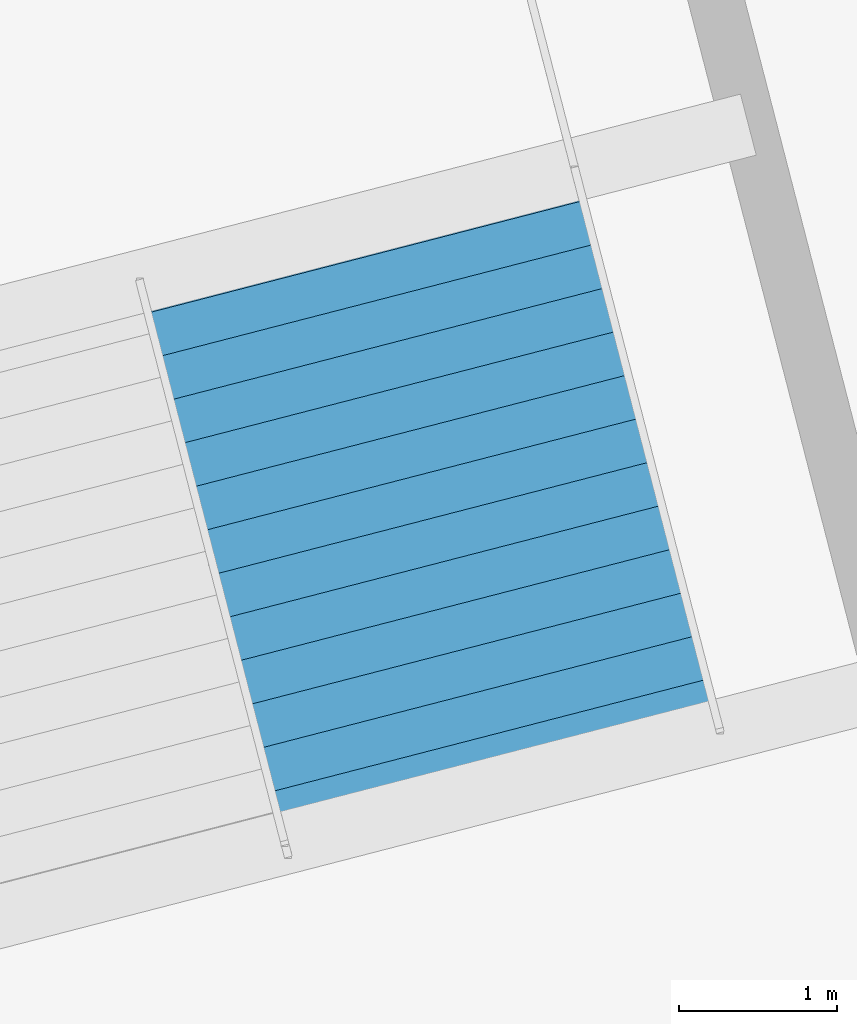
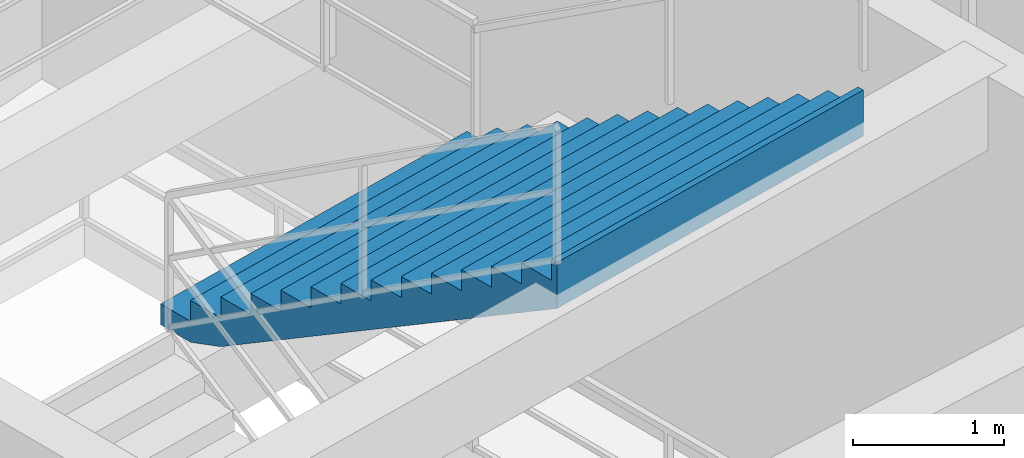
# One storey, part 131 of 156: 1 stair flight, 1 element without a shape of its own.
"""IFC4 building model written with IfcOpenShell, lengths in metres."""

from ifc_helpers import new_model, si_unit, direction, frame, origin, place, context, subcontext, project, spatial, polygons, material, type_object, element, aggregate, save


model = new_model("IFC4")

# Units and contexts
model_context = context("Model", 3, precision=1e-05, world=origin(), true_north=direction((0.0, 1.0)))
body_context = subcontext(model_context, "Body", "Model", "MODEL_VIEW")
ifc_project = project(units=[si_unit("LENGTHUNIT", "METRE"), si_unit("AREAUNIT", "SQUARE_METRE"), si_unit("VOLUMEUNIT", "CUBIC_METRE"), si_unit("PLANEANGLEUNIT", "RADIAN"), si_unit("MASSUNIT", "GRAM", prefix="KILO")], contexts=[model_context])

# Site, building, storey
site_placement = place(None, origin())
site = spatial("IfcSite", under=ifc_project, at=site_placement, CompositionType="ELEMENT")
building_placement = place(site_placement, origin())
building = spatial("IfcBuilding", under=site, at=building_placement, Name="Kazemori Nagisa Stadium", CompositionType="ELEMENT")
storey_placement = place(building_placement, frame((0.0, 0.0, 5.780029296875)))
storey = spatial("IfcBuildingStorey", under=building, at=storey_placement, Name="L01", CompositionType="ELEMENT", Elevation=5.780029296875)

# Stair, stair flight
ifc_material = material(Name="Concrete C36/45 (Fc36)", Category="concrete")
stair_type = type_object("IfcStairType", Name="Stair_CORE_28", PredefinedType="TWO_STRAIGHT_RUN_STAIR", material=ifc_material)
stair_placement = place(storey_placement, origin())
stair = element("IfcStair", 1, at=stair_placement, inside=storey, type_object=stair_type, Name="Exit stair ST07 L01", PredefinedType="TWO_STRAIGHT_RUN_STAIR")
stair_flight_type = type_object("IfcStairFlightType", Name="Flight_CORE_14", PredefinedType="STRAIGHT", material=ifc_material)
stair_flight_placement = place(storey_placement, frame((209.734130859375, 127.345703125, 2.3798828125), z_axis=(0.0, 0.0, 1.0), x_axis=(0.250001576145, -0.968245429592, 0.0)))
stair_flight = element("IfcStairFlight", 2, at=stair_flight_placement, type_object=stair_flight_type, Name="Exit stair ST07 L01 flight 2", NumberOfRisers=14, NumberOfTreads=13, PredefinedType="STRAIGHT", RiserHeight=0.17, TreadLength=0.285, context=body_context, shape_type="Tessellation", body=[
    polygons([(0.0, -1.425048828125, 0.0), (0.0, -1.425048828125, 0.169921875), (0.284912109375, -1.425048828125, 0.169921875), (0.284912109375, -1.425048828125, 0.340087890625), (0.570068359375, -1.425048828125, 0.340087890625), (0.570068359375, -1.425048828125, 0.510009765625), (0.85498046875, -1.425048828125, 0.510009765625), (0.85498046875, -1.425048828125, 0.679931640625), (1.139892578125, -1.425048828125, 0.679931640625), (1.139892578125, -1.425048828125, 0.85009765625), (1.425048828125, -1.425048828125, 0.85009765625), (1.425048828125, -1.425048828125, 1.02001953125), (1.7099609375, -1.425048828125, 1.02001953125), (1.7099609375, -1.425048828125, 1.18994140625), (1.9951171875, -1.425048828125, 1.18994140625), (1.9951171875, -1.425048828125, 1.360107421875), (2.280029296875, -1.425048828125, 1.360107421875), (2.280029296875, -1.425048828125, 1.530029296875), (2.56494140625, -1.425048828125, 1.530029296875), (2.56494140625, -1.425048828125, 1.699951171875), (2.85009765625, -1.425048828125, 1.699951171875), (2.85009765625, -1.425048828125, 1.8701171875), (3.135009765625, -1.425048828125, 1.8701171875), (3.135009765625, -1.425048828125, 2.0400390625), (3.419921875, -1.425048828125, 2.0400390625), (3.419921875, -1.425048828125, 2.2099609375), (3.705078125, -1.425048828125, 2.2099609375), (3.705078125, -1.425048828125, 2.3798828125), (3.7548828125, -1.425048828125, 2.3798828125), (3.7548828125, -1.425048828125, 2.007080078125), (3.705078125, -1.425048828125, 1.977294921875), (3.419921875, -1.425048828125, 1.80712890625), (3.135009765625, -1.425048828125, 1.63720703125), (2.85009765625, -1.425048828125, 1.46728515625), (2.56494140625, -1.425048828125, 1.297119140625), (2.280029296875, -1.425048828125, 1.127197265625), (1.9951171875, -1.425048828125, 0.957275390625), (1.7099609375, -1.425048828125, 0.787109375), (1.425048828125, -1.425048828125, 0.6171875), (1.139892578125, -1.425048828125, 0.447265625), (0.85498046875, -1.425048828125, 0.277099609375), (0.570068359375, -1.425048828125, 0.107177734375), (0.284912109375, -1.425048828125, 0.0), (0.0, -0.08544921875, 0.0), (0.0, -0.08544921875, 0.169921875), (0.284912109375, -0.08544921875, 0.169921875), (0.284912109375, -0.08544921875, 0.340087890625), (0.570068359375, -0.08544921875, 0.340087890625), (0.570068359375, -0.08544921875, 0.510009765625), (0.85498046875, -0.08544921875, 0.510009765625), (0.85498046875, -0.08544921875, 0.679931640625), (1.139892578125, -0.08544921875, 0.679931640625), (1.139892578125, -0.08544921875, 0.85009765625), (1.425048828125, -0.08544921875, 0.85009765625), (1.425048828125, -0.08544921875, 1.02001953125), (1.7099609375, -0.08544921875, 1.02001953125), (1.7099609375, -0.08544921875, 1.18994140625), (1.9951171875, -0.08544921875, 1.18994140625), (1.9951171875, -0.08544921875, 1.360107421875), (2.280029296875, -0.08544921875, 1.360107421875), (2.280029296875, -0.08544921875, 1.530029296875), (2.56494140625, -0.08544921875, 1.530029296875), (2.56494140625, -0.08544921875, 1.699951171875), (2.85009765625, -0.08544921875, 1.699951171875), (2.85009765625, -0.08544921875, 1.8701171875), (3.135009765625, -0.08544921875, 1.8701171875), (3.135009765625, -0.08544921875, 2.0400390625), (3.419921875, -0.08544921875, 2.0400390625), (3.419921875, -0.08544921875, 2.2099609375), (3.705078125, -0.08544921875, 2.2099609375), (3.705078125, -0.08544921875, 2.3798828125), (3.7548828125, -0.08544921875, 2.3798828125), (3.7548828125, -0.08544921875, 2.007080078125), (3.705078125, -0.08544921875, 1.977294921875), (3.419921875, -0.08544921875, 1.80712890625), (3.135009765625, -0.08544921875, 1.63720703125), (2.85009765625, -0.08544921875, 1.46728515625), (2.56494140625, -0.08544921875, 1.297119140625), (2.280029296875, -0.08544921875, 1.127197265625), (1.9951171875, -0.08544921875, 0.957275390625), (1.7099609375, -0.08544921875, 0.787109375), (1.425048828125, -0.08544921875, 0.6171875), (1.139892578125, -0.08544921875, 0.447265625), (0.85498046875, -0.08544921875, 0.277099609375), (0.570068359375, -0.08544921875, 0.107177734375), (0.284912109375, -0.08544921875, 0.0), (0.0, 0.0, 0.0), (0.0, 0.0, 0.169921875), (0.284912109375, 0.0, 0.169921875), (0.284912109375, 0.0, 0.340087890625), (0.570068359375, 0.0, 0.340087890625), (0.570068359375, 0.0, 0.510009765625), (0.85498046875, 0.0, 0.510009765625), (0.85498046875, 0.0, 0.679931640625), (1.139892578125, 0.0, 0.679931640625), (1.139892578125, 0.0, 0.85009765625), (1.425048828125, 0.0, 0.85009765625), (1.425048828125, 0.0, 1.02001953125), (1.7099609375, 0.0, 1.02001953125), (1.7099609375, 0.0, 1.18994140625), (1.9951171875, 0.0, 1.18994140625), (1.9951171875, 0.0, 1.360107421875), (2.280029296875, 0.0, 1.360107421875), (2.280029296875, 0.0, 1.530029296875), (2.56494140625, 0.0, 1.530029296875), (2.56494140625, 0.0, 1.699951171875), (2.85009765625, 0.0, 1.699951171875), (2.85009765625, 0.0, 1.8701171875), (3.135009765625, 0.0, 1.8701171875), (3.135009765625, 0.0, 2.0400390625), (3.419921875, 0.0, 2.0400390625), (3.419921875, 0.0, 2.2099609375), (3.705078125, 0.0, 2.2099609375), (3.705078125, 0.0, 2.3798828125), (3.7548828125, 0.0, 2.3798828125), (3.7548828125, 0.0, 2.007080078125), (3.705078125, 0.0, 1.977294921875), (3.419921875, 0.0, 1.80712890625), (3.135009765625, 0.0, 1.63720703125), (2.85009765625, 0.0, 1.46728515625), (2.56494140625, 0.0, 1.297119140625), (2.280029296875, 0.0, 1.127197265625), (1.9951171875, 0.0, 0.957275390625), (1.7099609375, 0.0, 0.787109375), (1.425048828125, 0.0, 0.6171875), (1.139892578125, 0.0, 0.447265625), (0.85498046875, 0.0, 0.277099609375), (0.570068359375, 0.0, 0.107177734375), (0.284912109375, 0.0, 0.0), (0.0, 0.08544921875, 0.0), (0.0, 0.08544921875, 0.169921875), (0.284912109375, 0.08544921875, 0.169921875), (0.284912109375, 0.08544921875, 0.340087890625), (0.570068359375, 0.08544921875, 0.340087890625), (0.570068359375, 0.08544921875, 0.510009765625), (0.85498046875, 0.08544921875, 0.510009765625), (0.85498046875, 0.08544921875, 0.679931640625), (1.139892578125, 0.08544921875, 0.679931640625), (1.139892578125, 0.08544921875, 0.85009765625), (1.425048828125, 0.08544921875, 0.85009765625), (1.425048828125, 0.08544921875, 1.02001953125), (1.7099609375, 0.08544921875, 1.02001953125), (1.7099609375, 0.08544921875, 1.18994140625), (1.9951171875, 0.08544921875, 1.18994140625), (1.9951171875, 0.08544921875, 1.360107421875), (2.280029296875, 0.08544921875, 1.360107421875), (2.280029296875, 0.08544921875, 1.530029296875), (2.56494140625, 0.08544921875, 1.530029296875), (2.56494140625, 0.08544921875, 1.699951171875), (2.85009765625, 0.08544921875, 1.699951171875), (2.85009765625, 0.08544921875, 1.8701171875), (3.135009765625, 0.08544921875, 1.8701171875), (3.135009765625, 0.08544921875, 2.0400390625), (3.419921875, 0.08544921875, 2.0400390625), (3.419921875, 0.08544921875, 2.2099609375), (3.705078125, 0.08544921875, 2.2099609375), (3.705078125, 0.08544921875, 2.3798828125), (3.7548828125, 0.08544921875, 2.3798828125), (3.7548828125, 0.08544921875, 2.007080078125), (3.705078125, 0.08544921875, 1.977294921875), (3.419921875, 0.08544921875, 1.80712890625), (3.135009765625, 0.08544921875, 1.63720703125), (2.85009765625, 0.08544921875, 1.46728515625), (2.56494140625, 0.08544921875, 1.297119140625), (2.280029296875, 0.08544921875, 1.127197265625), (1.9951171875, 0.08544921875, 0.957275390625), (1.7099609375, 0.08544921875, 0.787109375), (1.425048828125, 0.08544921875, 0.6171875), (1.139892578125, 0.08544921875, 0.447265625), (0.85498046875, 0.08544921875, 0.277099609375), (0.570068359375, 0.08544921875, 0.107177734375), (0.284912109375, 0.08544921875, 0.0), (0.0, 1.425048828125, 0.0), (0.0, 1.425048828125, 0.169921875), (0.284912109375, 1.425048828125, 0.169921875), (0.284912109375, 1.425048828125, 0.340087890625), (0.570068359375, 1.425048828125, 0.340087890625), (0.570068359375, 1.425048828125, 0.510009765625), (0.85498046875, 1.425048828125, 0.510009765625), (0.85498046875, 1.425048828125, 0.679931640625), (1.139892578125, 1.425048828125, 0.679931640625), (1.139892578125, 1.425048828125, 0.85009765625), (1.425048828125, 1.425048828125, 0.85009765625), (1.425048828125, 1.425048828125, 1.02001953125), (1.7099609375, 1.425048828125, 1.02001953125), (1.7099609375, 1.425048828125, 1.18994140625), (1.9951171875, 1.425048828125, 1.18994140625), (1.9951171875, 1.425048828125, 1.360107421875), (2.280029296875, 1.425048828125, 1.360107421875), (2.280029296875, 1.425048828125, 1.530029296875), (2.56494140625, 1.425048828125, 1.530029296875), (2.56494140625, 1.425048828125, 1.699951171875), (2.85009765625, 1.425048828125, 1.699951171875), (2.85009765625, 1.425048828125, 1.8701171875), (3.135009765625, 1.425048828125, 1.8701171875), (3.135009765625, 1.425048828125, 2.0400390625), (3.419921875, 1.425048828125, 2.0400390625), (3.419921875, 1.425048828125, 2.2099609375), (3.705078125, 1.425048828125, 2.2099609375), (3.705078125, 1.425048828125, 2.3798828125), (3.7548828125, 1.425048828125, 2.3798828125), (3.7548828125, 1.425048828125, 2.007080078125), (3.705078125, 1.425048828125, 1.977294921875), (3.419921875, 1.425048828125, 1.80712890625), (3.135009765625, 1.425048828125, 1.63720703125), (2.85009765625, 1.425048828125, 1.46728515625), (2.56494140625, 1.425048828125, 1.297119140625), (2.280029296875, 1.425048828125, 1.127197265625), (1.9951171875, 1.425048828125, 0.957275390625), (1.7099609375, 1.425048828125, 0.787109375), (1.425048828125, 1.425048828125, 0.6171875), (1.139892578125, 1.425048828125, 0.447265625), (0.85498046875, 1.425048828125, 0.277099609375), (0.570068359375, 1.425048828125, 0.107177734375), (0.284912109375, 1.425048828125, 0.0)], [[[1, 2, 45]], [[1, 45, 44]], [[2, 3, 46]], [[2, 46, 45]], [[3, 4, 47]], [[3, 47, 46]], [[4, 5, 48]], [[4, 48, 47]], [[5, 6, 49]], [[5, 49, 48]], [[6, 7, 50]], [[6, 50, 49]], [[7, 8, 51]], [[7, 51, 50]], [[8, 9, 52]], [[8, 52, 51]], [[9, 10, 53]], [[9, 53, 52]], [[10, 11, 54]], [[10, 54, 53]], [[11, 12, 55]], [[11, 55, 54]], [[12, 13, 56]], [[12, 56, 55]], [[13, 14, 57]], [[13, 57, 56]], [[14, 15, 58]], [[14, 58, 57]], [[15, 16, 59]], [[15, 59, 58]], [[16, 17, 60]], [[16, 60, 59]], [[17, 18, 61]], [[17, 61, 60]], [[18, 19, 62]], [[18, 62, 61]], [[19, 20, 63]], [[19, 63, 62]], [[20, 21, 64]], [[20, 64, 63]], [[21, 22, 65]], [[21, 65, 64]], [[22, 23, 66]], [[22, 66, 65]], [[23, 24, 67]], [[23, 67, 66]], [[24, 25, 68]], [[24, 68, 67]], [[25, 26, 69]], [[25, 69, 68]], [[26, 27, 70]], [[26, 70, 69]], [[27, 28, 71]], [[27, 71, 70]], [[28, 29, 72]], [[28, 72, 71]], [[29, 30, 73]], [[29, 73, 72]], [[30, 31, 74]], [[30, 74, 73]], [[31, 32, 75]], [[31, 75, 74]], [[32, 33, 76]], [[32, 76, 75]], [[33, 34, 77]], [[33, 77, 76]], [[34, 35, 78]], [[34, 78, 77]], [[35, 36, 79]], [[35, 79, 78]], [[36, 37, 80]], [[36, 80, 79]], [[37, 38, 81]], [[37, 81, 80]], [[38, 39, 82]], [[38, 82, 81]], [[39, 40, 83]], [[39, 83, 82]], [[40, 41, 84]], [[40, 84, 83]], [[41, 42, 85]], [[41, 85, 84]], [[42, 43, 86]], [[42, 86, 85]], [[43, 1, 44]], [[43, 44, 86]], [[44, 45, 88]], [[44, 88, 87]], [[45, 46, 89]], [[45, 89, 88]], [[46, 47, 90]], [[46, 90, 89]], [[47, 48, 91]], [[47, 91, 90]], [[48, 49, 92]], [[48, 92, 91]], [[49, 50, 93]], [[49, 93, 92]], [[50, 51, 94]], [[50, 94, 93]], [[51, 52, 95]], [[51, 95, 94]], [[52, 53, 96]], [[52, 96, 95]], [[53, 54, 97]], [[53, 97, 96]], [[54, 55, 98]], [[54, 98, 97]], [[55, 56, 99]], [[55, 99, 98]], [[56, 57, 100]], [[56, 100, 99]], [[57, 58, 101]], [[57, 101, 100]], [[58, 59, 102]], [[58, 102, 101]], [[59, 60, 103]], [[59, 103, 102]], [[60, 61, 104]], [[60, 104, 103]], [[61, 62, 105]], [[61, 105, 104]], [[62, 63, 106]], [[62, 106, 105]], [[63, 64, 107]], [[63, 107, 106]], [[64, 65, 108]], [[64, 108, 107]], [[65, 66, 109]], [[65, 109, 108]], [[66, 67, 110]], [[66, 110, 109]], [[67, 68, 111]], [[67, 111, 110]], [[68, 69, 112]], [[68, 112, 111]], [[69, 70, 113]], [[69, 113, 112]], [[70, 71, 114]], [[70, 114, 113]], [[71, 72, 115]], [[71, 115, 114]], [[72, 73, 116]], [[72, 116, 115]], [[73, 74, 117]], [[73, 117, 116]], [[74, 75, 118]], [[74, 118, 117]], [[75, 76, 119]], [[75, 119, 118]], [[76, 77, 120]], [[76, 120, 119]], [[77, 78, 121]], [[77, 121, 120]], [[78, 79, 122]], [[78, 122, 121]], [[79, 80, 123]], [[79, 123, 122]], [[80, 81, 124]], [[80, 124, 123]], [[81, 82, 125]], [[81, 125, 124]], [[82, 83, 126]], [[82, 126, 125]], [[83, 84, 127]], [[83, 127, 126]], [[84, 85, 128]], [[84, 128, 127]], [[85, 86, 129]], [[85, 129, 128]], [[86, 44, 87]], [[86, 87, 129]], [[87, 88, 131]], [[87, 131, 130]], [[88, 89, 132]], [[88, 132, 131]], [[89, 90, 133]], [[89, 133, 132]], [[90, 91, 134]], [[90, 134, 133]], [[91, 92, 135]], [[91, 135, 134]], [[92, 93, 136]], [[92, 136, 135]], [[93, 94, 137]], [[93, 137, 136]], [[94, 95, 138]], [[94, 138, 137]], [[95, 96, 139]], [[95, 139, 138]], [[96, 97, 140]], [[96, 140, 139]], [[97, 98, 141]], [[97, 141, 140]], [[98, 99, 142]], [[98, 142, 141]], [[99, 100, 143]], [[99, 143, 142]], [[100, 101, 144]], [[100, 144, 143]], [[101, 102, 145]], [[101, 145, 144]], [[102, 103, 146]], [[102, 146, 145]], [[103, 104, 147]], [[103, 147, 146]], [[104, 105, 148]], [[104, 148, 147]], [[105, 106, 149]], [[105, 149, 148]], [[106, 107, 150]], [[106, 150, 149]], [[107, 108, 151]], [[107, 151, 150]], [[108, 109, 152]], [[108, 152, 151]], [[109, 110, 153]], [[109, 153, 152]], [[110, 111, 154]], [[110, 154, 153]], [[111, 112, 155]], [[111, 155, 154]], [[112, 113, 156]], [[112, 156, 155]], [[113, 114, 157]], [[113, 157, 156]], [[114, 115, 158]], [[114, 158, 157]], [[115, 116, 159]], [[115, 159, 158]], [[116, 117, 160]], [[116, 160, 159]], [[117, 118, 161]], [[117, 161, 160]], [[118, 119, 162]], [[118, 162, 161]], [[119, 120, 163]], [[119, 163, 162]], [[120, 121, 164]], [[120, 164, 163]], [[121, 122, 165]], [[121, 165, 164]], [[122, 123, 166]], [[122, 166, 165]], [[123, 124, 167]], [[123, 167, 166]], [[124, 125, 168]], [[124, 168, 167]], [[125, 126, 169]], [[125, 169, 168]], [[126, 127, 170]], [[126, 170, 169]], [[127, 128, 171]], [[127, 171, 170]], [[128, 129, 172]], [[128, 172, 171]], [[129, 87, 130]], [[129, 130, 172]], [[130, 131, 174]], [[130, 174, 173]], [[131, 132, 175]], [[131, 175, 174]], [[132, 133, 176]], [[132, 176, 175]], [[133, 134, 177]], [[133, 177, 176]], [[134, 135, 178]], [[134, 178, 177]], [[135, 136, 179]], [[135, 179, 178]], [[136, 137, 180]], [[136, 180, 179]], [[137, 138, 181]], [[137, 181, 180]], [[138, 139, 182]], [[138, 182, 181]], [[139, 140, 183]], [[139, 183, 182]], [[140, 141, 184]], [[140, 184, 183]], [[141, 142, 185]], [[141, 185, 184]], [[142, 143, 186]], [[142, 186, 185]], [[143, 144, 187]], [[143, 187, 186]], [[144, 145, 188]], [[144, 188, 187]], [[145, 146, 189]], [[145, 189, 188]], [[146, 147, 190]], [[146, 190, 189]], [[147, 148, 191]], [[147, 191, 190]], [[148, 149, 192]], [[148, 192, 191]], [[149, 150, 193]], [[149, 193, 192]], [[150, 151, 194]], [[150, 194, 193]], [[151, 152, 195]], [[151, 195, 194]], [[152, 153, 196]], [[152, 196, 195]], [[153, 154, 197]], [[153, 197, 196]], [[154, 155, 198]], [[154, 198, 197]], [[155, 156, 199]], [[155, 199, 198]], [[156, 157, 200]], [[156, 200, 199]], [[157, 158, 201]], [[157, 201, 200]], [[158, 159, 202]], [[158, 202, 201]], [[159, 160, 203]], [[159, 203, 202]], [[160, 161, 204]], [[160, 204, 203]], [[161, 162, 205]], [[161, 205, 204]], [[162, 163, 206]], [[162, 206, 205]], [[163, 164, 207]], [[163, 207, 206]], [[164, 165, 208]], [[164, 208, 207]], [[165, 166, 209]], [[165, 209, 208]], [[166, 167, 210]], [[166, 210, 209]], [[167, 168, 211]], [[167, 211, 210]], [[168, 169, 212]], [[168, 212, 211]], [[169, 170, 213]], [[169, 213, 212]], [[170, 171, 214]], [[170, 214, 213]], [[171, 172, 215]], [[171, 215, 214]], [[172, 130, 173]], [[172, 173, 215]], [[3, 2, 1]], [[173, 174, 175]], [[43, 3, 1]], [[173, 175, 215]], [[42, 3, 43]], [[215, 175, 214]], [[5, 3, 42]], [[214, 175, 177]], [[5, 4, 3]], [[175, 176, 177]], [[41, 5, 42]], [[214, 177, 213]], [[7, 5, 41]], [[213, 177, 179]], [[7, 6, 5]], [[177, 178, 179]], [[40, 7, 41]], [[213, 179, 212]], [[9, 7, 40]], [[212, 179, 181]], [[9, 8, 7]], [[179, 180, 181]], [[39, 9, 40]], [[212, 181, 211]], [[11, 9, 39]], [[211, 181, 183]], [[11, 10, 9]], [[181, 182, 183]], [[38, 11, 39]], [[211, 183, 210]], [[13, 11, 38]], [[210, 183, 185]], [[13, 12, 11]], [[183, 184, 185]], [[37, 13, 38]], [[210, 185, 209]], [[15, 13, 37]], [[209, 185, 187]], [[15, 14, 13]], [[185, 186, 187]], [[36, 15, 37]], [[209, 187, 208]], [[17, 15, 36]], [[208, 187, 189]], [[17, 16, 15]], [[187, 188, 189]], [[35, 17, 36]], [[208, 189, 207]], [[19, 17, 35]], [[207, 189, 191]], [[19, 18, 17]], [[189, 190, 191]], [[34, 19, 35]], [[207, 191, 206]], [[21, 19, 34]], [[206, 191, 193]], [[21, 20, 19]], [[191, 192, 193]], [[33, 21, 34]], [[206, 193, 205]], [[23, 21, 33]], [[205, 193, 195]], [[23, 22, 21]], [[193, 194, 195]], [[32, 23, 33]], [[205, 195, 204]], [[25, 23, 32]], [[204, 195, 197]], [[25, 24, 23]], [[195, 196, 197]], [[31, 25, 32]], [[204, 197, 203]], [[27, 25, 31]], [[203, 197, 199]], [[27, 26, 25]], [[197, 198, 199]], [[30, 27, 31]], [[203, 199, 202]], [[29, 27, 30]], [[202, 199, 201]], [[29, 28, 27]], [[199, 200, 201]]], closed=True),
])
aggregate(stair, [stair_flight])

save(model, "model.ifc")
